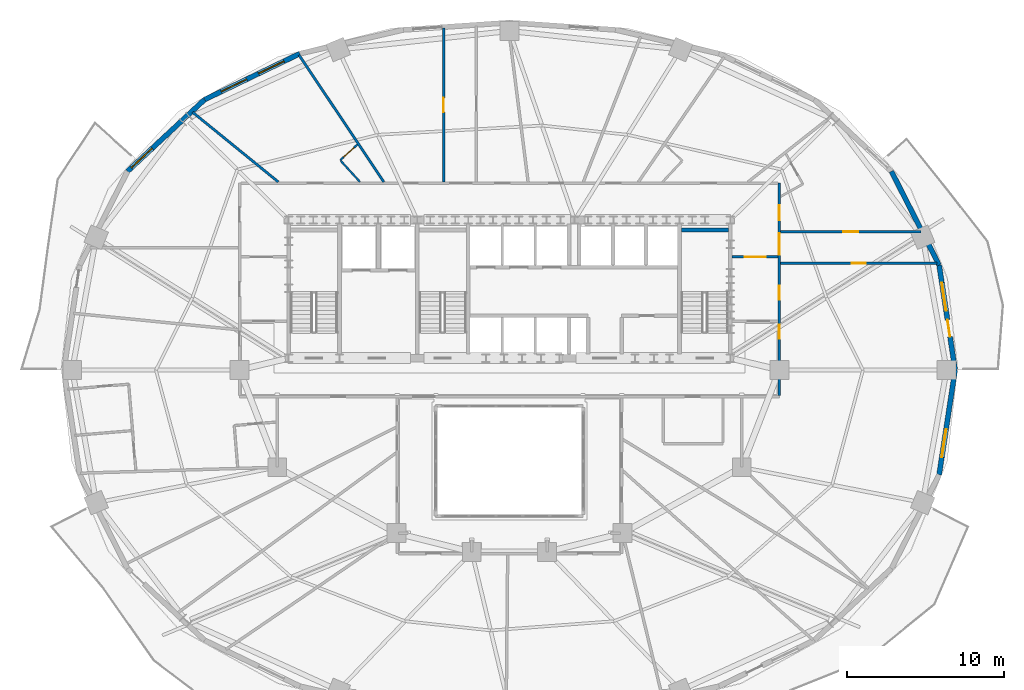
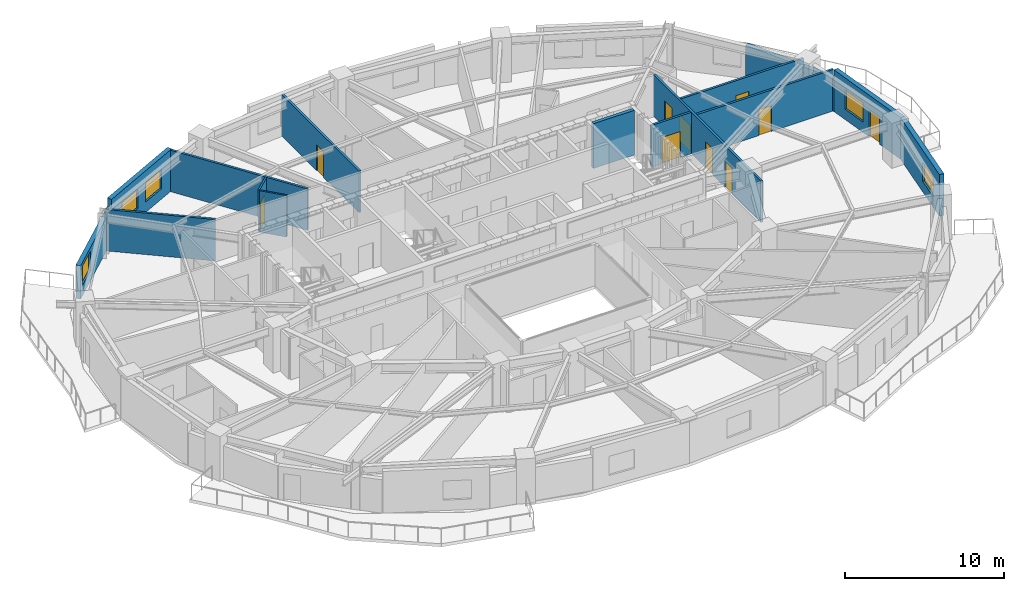
# One storey, part 9 of 14: 15 walls, 10 doors, 5 windows, 15 openings.
"""IFC4 building model written with IfcOpenShell, lengths in metres."""

from ifc_helpers import new_model, si_unit, direction, frame, frame_2d, origin, place, context, subcontext, project, spatial, rectangle, extrude, material, layer, layer_set, type_object, element, fill, save


model = new_model("IFC4")

# Units and contexts
model_context = context("Model", 3, precision=1e-05, world=origin(), true_north=direction((0.0, 1.0)))
body_context = subcontext(model_context, "Body", "Model", "MODEL_VIEW")
ifc_project = project(units=[si_unit("LENGTHUNIT", "METRE"), si_unit("AREAUNIT", "SQUARE_METRE"), si_unit("VOLUMEUNIT", "CUBIC_METRE"), si_unit("PLANEANGLEUNIT", "RADIAN"), si_unit("MASSUNIT", "GRAM", prefix="KILO")], contexts=[model_context])

# Site, building, storey
site_placement = place(None, origin())
site = spatial("IfcSite", under=ifc_project, at=site_placement, CompositionType="ELEMENT")
building_placement = place(site_placement, origin())
building = spatial("IfcBuilding", under=site, at=building_placement, Name="Haldorwick Loom Tower", CompositionType="ELEMENT")
storey_placement = place(building_placement, frame((0.0, 0.0, 95.60009765625)))
storey = spatial("IfcBuildingStorey", under=building, at=storey_placement, Name="L25", CompositionType="ELEMENT", Elevation=95.60009765625)

# Wall, openings, door, window
ifc_material_1 = material(Name="Pressed Clay Face Brick and Insulated Masonry Backup Assembly", Category="masonry")
ifc_layer_1 = layer(ifc_material_1, 0.320068359375, Name="Pressed Clay Face Brick and Insulated Masonry Backup Assembly", Category="masonry")
ifc_layer_set_1 = layer_set([ifc_layer_1], Name="Pressed Clay Face Brick and Insulated Masonry Backup Assembly")
wall_type_1 = type_object("IfcWallType", Name="ARC-WL-EXT320", PredefinedType="STANDARD", material=ifc_layer_set_1)
wall_1_placement = place(storey_placement, frame((64.397705078125, 26.0, 0.0), z_axis=(0.0, 0.0, 1.0), x_axis=(-0.150633288003, 0.988589708901, 0.0)))
wall_1 = element("IfcWall", 1, at=wall_1_placement, inside=storey, type_object=wall_type_1, Name="L25 Brick Pier and Spandrel Wall 1", PredefinedType="STANDARD", context=body_context, shape_type="SweptSolid", body=[
    extrude(rectangle(XDim=6.752197265625, YDim=0.320068359375, at=frame_2d((3.3759765625, 0.0))), origin(), (0.0, 0.0, 1.0), 3.2099609375),
])
opening_1_placement = place(wall_1_placement, frame((2.144287109375, 0.0, 0.0)))
opening_1 = element("IfcOpeningElement", 2, at=opening_1_placement, cuts=wall_1, Name="Opening D-BL11", PredefinedType="OPENING", context=body_context, shape_type="SweptSolid", body=[
    extrude(rectangle(XDim=1.080078125, YDim=2.0400390625, at=frame_2d((0.5400390625, 1.02001953125))), frame((0.0, 0.169921875, 0.0), z_axis=(0.0, -1.0, 0.0), x_axis=(1.0, 0.0, 0.0)), (0.0, 0.0, 1.0), 0.340087890625),
])
opening_2_placement = place(wall_1_placement, frame((3.826416015625, 0.0, 0.800048828125)))
opening_2 = element("IfcOpeningElement", 3, at=opening_2_placement, cuts=wall_1, Name="Opening W-01", PredefinedType="OPENING", context=body_context, shape_type="SweptSolid", body=[
    extrude(rectangle(XDim=1.800048828125, YDim=1.47998046875, at=frame_2d((0.89990234375, 0.739990234375))), frame((0.0, 0.169921875, 0.0), z_axis=(0.0, -1.0, 0.0), x_axis=(1.0, 0.0, 0.0)), (0.0, 0.0, 1.0), 0.340087890625),
])
ifc_material_2 = material(Name="Thermally Broken Anodized Aluminium Curtain Wall Framing", Category="aluminium")
door_type_1 = type_object("IfcDoorType", Name="ARC-DR-BAL110", OperationType="NOTDEFINED", PredefinedType="DOOR", material=ifc_material_2)
door_1_placement = place(opening_1_placement, origin())
door_1 = element("IfcDoor", 4, at=door_1_placement, inside=storey, type_object=door_type_1, Name="L25 Outdoor Terrace Door SLB-L25-BAL_ENE", OperationType="SINGLE_SWING_RIGHT", OverallHeight=2.0400390625, OverallWidth=1.080078125, PredefinedType="DOOR", context=body_context, shape_type="SweptSolid", body=[
    extrude(rectangle(XDim=1.080078125, YDim=2.0400390625, at=frame_2d((0.5400390625, 1.02001953125))), frame((0.0, 0.02490234375, 0.0), z_axis=(0.0, -1.0, 0.0), x_axis=(1.0, 0.0, 0.0)), (0.0, 0.0, 1.0), 0.050048828125),
])
fill(opening_1, door_1)
ifc_material_3 = material(Name="Triple-Glazed Low-E Argon Insulated Glazing Unit", Category="glass")
window_type = type_object("IfcWindowType", Name="ARC-WIN-W180", PartitioningType="SINGLE_PANEL", PredefinedType="WINDOW", material=ifc_material_3)
window_1_placement = place(opening_2_placement, origin())
window_1 = element("IfcWindow", 5, at=window_1_placement, inside=storey, type_object=window_type, Name="L25 Deep-Set Zone 7A Window 1", OverallHeight=1.47998046875, OverallWidth=1.800048828125, PartitioningType="SINGLE_PANEL", PredefinedType="WINDOW", context=body_context, shape_type="SweptSolid", body=[
    extrude(rectangle(XDim=1.800048828125, YDim=1.47998046875, at=frame_2d((0.89990234375, 0.739990234375))), frame((0.0, 0.030029296875, 0.0), z_axis=(0.0, -1.0, 0.0), x_axis=(1.0, 0.0, 0.0)), (0.0, 0.0, 1.0), 0.06005859375),
])
fill(opening_2, window_1)

# Wall
wall_2_placement = place(storey_placement, frame((63.380615234375, 32.675048828125, 0.0), z_axis=(0.0, 0.0, 1.0), x_axis=(-0.453374078001, 0.89132033826, 0.0)))
element("IfcWall", 6, at=wall_2_placement, inside=storey, type_object=wall_type_1, Name="L25 Brick Pier and Spandrel Wall 2", PredefinedType="STANDARD", context=body_context, shape_type="SweptSolid", body=[
    extrude(rectangle(XDim=6.709716796875, YDim=0.320068359375, at=frame_2d((3.35498046875, 0.0))), origin(), (0.0, 0.0, 1.0), 2.56884765625),
])

# Wall, openings, windows
wall_3_placement = place(storey_placement, frame((22.647216796875, 46.158447265625, 0.0), z_axis=(0.0, 0.0, 1.0), x_axis=(-0.900510094661, -0.434835106004, 0.0)))
wall_3 = element("IfcWall", 7, at=wall_3_placement, inside=storey, type_object=wall_type_1, Name="L25 Brick Pier and Spandrel Wall 9", PredefinedType="STANDARD", context=body_context, shape_type="SweptSolid", body=[
    extrude(rectangle(XDim=6.744873046875, YDim=0.320068359375, at=frame_2d((3.37255859375, 0.0))), origin(), (0.0, 0.0, 1.0), 3.2099609375),
])
opening_3_placement = place(wall_3_placement, frame((1.123291015625, 0.0, 0.800048828125)))
opening_3 = element("IfcOpeningElement", 8, at=opening_3_placement, cuts=wall_3, Name="Opening W-01", PredefinedType="OPENING", context=body_context, shape_type="SweptSolid", body=[
    extrude(rectangle(XDim=1.800048828125, YDim=1.47998046875, at=frame_2d((0.89990234375, 0.739990234375))), frame((0.0, 0.169921875, 0.0), z_axis=(0.0, -1.0, 0.0), x_axis=(1.0, 0.0, 0.0)), (0.0, 0.0, 1.0), 0.340087890625),
])
opening_4_placement = place(wall_3_placement, frame((3.763916015625, 0.0, 0.800048828125)))
opening_4 = element("IfcOpeningElement", 9, at=opening_4_placement, cuts=wall_3, Name="Opening W-01", PredefinedType="OPENING", context=body_context, shape_type="SweptSolid", body=[
    extrude(rectangle(XDim=1.800048828125, YDim=1.47998046875, at=frame_2d((0.89990234375, 0.739990234375))), frame((0.0, 0.169921875, 0.0), z_axis=(0.0, -1.0, 0.0), x_axis=(1.0, 0.0, 0.0)), (0.0, 0.0, 1.0), 0.340087890625),
])
window_2_placement = place(opening_3_placement, origin())
window_2 = element("IfcWindow", 10, at=window_2_placement, inside=storey, type_object=window_type, Name="L25 Deep-Set Zone 7A Window 9", OverallHeight=1.47998046875, OverallWidth=1.800048828125, PartitioningType="SINGLE_PANEL", PredefinedType="WINDOW", context=body_context, shape_type="SweptSolid", body=[
    extrude(rectangle(XDim=1.800048828125, YDim=1.47998046875, at=frame_2d((0.89990234375, 0.739990234375))), frame((0.0, 0.030029296875, 0.0), z_axis=(0.0, -1.0, 0.0), x_axis=(1.0, 0.0, 0.0)), (0.0, 0.0, 1.0), 0.06005859375),
])
fill(opening_3, window_2)
window_3_placement = place(opening_4_placement, origin())
window_3 = element("IfcWindow", 11, at=window_3_placement, inside=storey, type_object=window_type, Name="L25 Deep-Set Zone 7A Window 9", OverallHeight=1.47998046875, OverallWidth=1.800048828125, PartitioningType="SINGLE_PANEL", PredefinedType="WINDOW", context=body_context, shape_type="SweptSolid", body=[
    extrude(rectangle(XDim=1.800048828125, YDim=1.47998046875, at=frame_2d((0.89990234375, 0.739990234375))), frame((0.0, 0.030029296875, 0.0), z_axis=(0.0, -1.0, 0.0), x_axis=(1.0, 0.0, 0.0)), (0.0, 0.0, 1.0), 0.06005859375),
])
fill(opening_4, window_3)

# Wall, opening, window
wall_4_placement = place(storey_placement, frame((16.573486328125, 43.2255859375, 0.0), z_axis=(0.0, 0.0, 1.0), x_axis=(-0.732137360086, -0.681157020052, 0.0)))
wall_4 = element("IfcWall", 12, at=wall_4_placement, inside=storey, type_object=wall_type_1, Name="L25 Brick Pier and Spandrel Wall 10", PredefinedType="STANDARD", context=body_context, shape_type="SweptSolid", body=[
    extrude(rectangle(XDim=6.709228515625, YDim=0.320068359375, at=frame_2d((3.3544921875, 0.0))), origin(), (0.0, 0.0, 1.0), 2.56884765625),
])
opening_5_placement = place(wall_4_placement, frame((4.569580078125, 0.0, 0.800048828125)))
opening_5 = element("IfcOpeningElement", 13, at=opening_5_placement, cuts=wall_4, Name="Opening W-01", PredefinedType="OPENING", context=body_context, shape_type="SweptSolid", body=[
    extrude(rectangle(XDim=1.800048828125, YDim=1.47998046875, at=frame_2d((0.89990234375, 0.739990234375))), frame((0.0, 0.169921875, 0.0), z_axis=(0.0, -1.0, 0.0), x_axis=(1.0, 0.0, 0.0)), (0.0, 0.0, 1.0), 0.340087890625),
])
window_4_placement = place(opening_5_placement, origin())
window_4 = element("IfcWindow", 14, at=window_4_placement, inside=storey, type_object=window_type, Name="L25 Deep-Set Zone 7A Window 10", OverallHeight=1.47998046875, OverallWidth=1.800048828125, PartitioningType="SINGLE_PANEL", PredefinedType="WINDOW", context=body_context, shape_type="SweptSolid", body=[
    extrude(rectangle(XDim=1.800048828125, YDim=1.47998046875, at=frame_2d((0.89990234375, 0.739990234375))), frame((0.0, 0.030029296875, 0.0), z_axis=(0.0, -1.0, 0.0), x_axis=(1.0, 0.0, 0.0)), (0.0, 0.0, 1.0), 0.06005859375),
])
fill(opening_5, window_4)

wall_5_placement = place(storey_placement, frame((63.380615234375, 19.324951171875, 0.0), z_axis=(0.0, 0.0, 1.0), x_axis=(0.150633288003, 0.988589708901, 0.0)))
wall_5 = element("IfcWall", 15, at=wall_5_placement, inside=storey, type_object=wall_type_1, Name="L25 Brick Pier and Spandrel Wall 24", PredefinedType="STANDARD", context=body_context, shape_type="SweptSolid", body=[
    extrude(rectangle(XDim=6.752197265625, YDim=0.320068359375, at=frame_2d((3.3759765625, 0.0))), origin(), (0.0, 0.0, 1.0), 3.2099609375),
])
opening_6_placement = place(wall_5_placement, frame((1.12548828125, 0.0, 0.800048828125)))
opening_6 = element("IfcOpeningElement", 16, at=opening_6_placement, cuts=wall_5, Name="Opening W-01", PredefinedType="OPENING", context=body_context, shape_type="SweptSolid", body=[
    extrude(rectangle(XDim=1.800048828125, YDim=1.47998046875, at=frame_2d((0.89990234375, 0.739990234375))), frame((0.0, 0.169921875, 0.0), z_axis=(0.0, -1.0, 0.0), x_axis=(1.0, 0.0, 0.0)), (0.0, 0.0, 1.0), 0.340087890625),
])
window_5_placement = place(opening_6_placement, origin())
window_5 = element("IfcWindow", 17, at=window_5_placement, inside=storey, type_object=window_type, Name="L25 Deep-Set Zone 7A Window 24", OverallHeight=1.47998046875, OverallWidth=1.800048828125, PartitioningType="SINGLE_PANEL", PredefinedType="WINDOW", context=body_context, shape_type="SweptSolid", body=[
    extrude(rectangle(XDim=1.800048828125, YDim=1.47998046875, at=frame_2d((0.89990234375, 0.739990234375))), frame((0.0, 0.030029296875, 0.0), z_axis=(0.0, -1.0, 0.0), x_axis=(1.0, 0.0, 0.0)), (0.0, 0.0, 1.0), 0.06005859375),
])
fill(opening_6, window_5)

# Wall, openings, doors
ifc_material_4 = material(Name="Fire-Rated Type X Gypsum Stud Assembly EI 60")
ifc_layer_2 = layer(ifc_material_4, 0.159912109375, Name="Fire-Rated Type X Gypsum Stud Assembly EI 60")
ifc_layer_set_2 = layer_set([ifc_layer_2], Name="Fire-Rated Type X Gypsum Stud Assembly EI 60")
wall_type_2 = type_object("IfcWallType", Name="ARC-WL-FIRE160", PredefinedType="PARTITIONING", material=ifc_layer_set_2)
wall_6_placement = place(storey_placement, frame((53.199951171875, 24.383056640625, 0.0), z_axis=(0.0, 0.0, 1.0), x_axis=(0.0, 1.0, 0.0)))
wall_6 = element("IfcWall", 18, at=wall_6_placement, inside=storey, type_object=wall_type_2, Name="L25 Residential Fire Partition L25-CR-E0", PredefinedType="PARTITIONING", context=body_context, shape_type="SweptSolid", body=[
    extrude(rectangle(XDim=13.516845703125, YDim=0.159912109375, at=frame_2d((6.75830078125, 0.0))), origin(), (0.0, 0.0, 1.0), 3.19482421875),
])
opening_7_placement = place(wall_6_placement, frame((8.964111328125, 0.0, 0.0)))
opening_7 = element("IfcOpeningElement", 19, at=opening_7_placement, cuts=wall_6, Name="Opening D-CR15", PredefinedType="OPENING", context=body_context, shape_type="SweptSolid", body=[
    extrude(rectangle(XDim=1.35009765625, YDim=2.0, at=frame_2d((0.675048828125, 1.0))), frame((0.0, 0.08984375, 0.0), z_axis=(0.0, -1.0, 0.0), x_axis=(1.0, 0.0, 0.0)), (0.0, 0.0, 1.0), 0.179931640625),
])
opening_8_placement = place(wall_6_placement, frame((3.59130859375, 0.0, 0.0)))
opening_8 = element("IfcOpeningElement", 20, at=opening_8_placement, cuts=wall_6, Name="Opening D-FD60A", PredefinedType="OPENING", context=body_context, shape_type="SweptSolid", body=[
    extrude(rectangle(XDim=0.89990234375, YDim=2.0, at=frame_2d((0.449951171875, 1.0))), frame((0.0, 0.08984375, 0.0), z_axis=(0.0, -1.0, 0.0), x_axis=(1.0, 0.0, 0.0)), (0.0, 0.0, 1.0), 0.179931640625),
])
opening_9_placement = place(wall_6_placement, frame((6.0869140625, 0.0, 0.0)))
opening_9 = element("IfcOpeningElement", 21, at=opening_9_placement, cuts=wall_6, Name="Opening D-FD60A", PredefinedType="OPENING", context=body_context, shape_type="SweptSolid", body=[
    extrude(rectangle(XDim=0.89990234375, YDim=2.0, at=frame_2d((0.449951171875, 1.0))), frame((0.0, 0.08984375, 0.0), z_axis=(0.0, -1.0, 0.0), x_axis=(1.0, 0.0, 0.0)), (0.0, 0.0, 1.0), 0.179931640625),
])
opening_10_placement = place(wall_6_placement, frame((11.158447265625, 0.0, 0.0)))
opening_10 = element("IfcOpeningElement", 22, at=opening_10_placement, cuts=wall_6, Name="Opening D-FL95", PredefinedType="OPENING", context=body_context, shape_type="SweptSolid", body=[
    extrude(rectangle(XDim=0.949951171875, YDim=2.0400390625, at=frame_2d((0.47509765625, 1.02001953125))), frame((0.0, 0.08984375, 0.0), z_axis=(0.0, -1.0, 0.0), x_axis=(1.0, 0.0, 0.0)), (0.0, 0.0, 1.0), 0.179931640625),
])
ifc_material_5 = material(Name="Thermally Broken Anodized Aluminium and Tempered Glass", Category="aluminium")
door_type_2 = type_object("IfcDoorType", Name="ARC-DR-COR150", OperationType="NOTDEFINED", PredefinedType="DOOR", material=ifc_material_5)
door_2_placement = place(opening_7_placement, origin())
door_2 = element("IfcDoor", 23, at=door_2_placement, inside=storey, type_object=door_type_2, Name="L25 L25 North Residential Corridor to L25 East Daylight Corridor Door", OperationType="DOUBLE_DOOR_SINGLE_SWING", OverallHeight=2.0, OverallWidth=1.35009765625, PredefinedType="DOOR", context=body_context, shape_type="SweptSolid", body=[
    extrude(rectangle(XDim=1.35009765625, YDim=2.0, at=frame_2d((0.675048828125, 1.0))), frame((0.0, 0.02490234375, 0.0), z_axis=(0.0, -1.0, 0.0), x_axis=(1.0, 0.0, 0.0)), (0.0, 0.0, 1.0), 0.050048828125),
])
fill(opening_7, door_2)
ifc_material_6 = material(Name="Hollow Steel Fire Door Assembly", Category="steel")
door_type_3 = type_object("IfcDoorType", Name="ARC-DR-FD60-90", OperationType="NOTDEFINED", PredefinedType="DOOR", material=ifc_material_6)
door_3_placement = place(opening_8_placement, origin())
door_3 = element("IfcDoor", 24, at=door_3_placement, inside=storey, type_object=door_type_3, Name="L25 L25 Central Residential Corridor to Community Teaching Classroom 4 D", OperationType="SINGLE_SWING_LEFT", OverallHeight=2.0, OverallWidth=0.89990234375, PredefinedType="DOOR", context=body_context, shape_type="SweptSolid", body=[
    extrude(rectangle(XDim=0.89990234375, YDim=2.0, at=frame_2d((0.449951171875, 1.0))), frame((0.0, 0.02490234375, 0.0), z_axis=(0.0, -1.0, 0.0), x_axis=(1.0, 0.0, 0.0)), (0.0, 0.0, 1.0), 0.050048828125),
])
fill(opening_8, door_3)
door_4_placement = place(opening_9_placement, origin())
door_4 = element("IfcDoor", 25, at=door_4_placement, inside=storey, type_object=door_type_3, Name="L25 L25 East Residential Corridor to Community Teaching Classroom 4 Door", OperationType="SINGLE_SWING_RIGHT", OverallHeight=2.0, OverallWidth=0.89990234375, PredefinedType="DOOR", context=body_context, shape_type="SweptSolid", body=[
    extrude(rectangle(XDim=0.89990234375, YDim=2.0, at=frame_2d((0.449951171875, 1.0))), frame((0.0, 0.02490234375, 0.0), z_axis=(0.0, -1.0, 0.0), x_axis=(1.0, 0.0, 0.0)), (0.0, 0.0, 1.0), 0.050048828125),
])
fill(opening_9, door_4)
ifc_material_7 = material(Name="Solid Core Birch Architectural Door")
door_type_4 = type_object("IfcDoorType", Name="ARC-DR-FLAT95", OperationType="NOTDEFINED", PredefinedType="DOOR", material=ifc_material_7)
door_5_placement = place(opening_10_placement, origin())
door_5 = element("IfcDoor", 26, at=door_5_placement, inside=storey, type_object=door_type_4, Name="L25 L25 North Residential Corridor to Unit 25C Kitchen and Studio Living", OperationType="SINGLE_SWING_LEFT", OverallHeight=2.0400390625, OverallWidth=0.949951171875, PredefinedType="DOOR", context=body_context, shape_type="SweptSolid", body=[
    extrude(rectangle(XDim=0.949951171875, YDim=2.0400390625, at=frame_2d((0.47509765625, 1.02001953125))), frame((0.0, 0.02490234375, 0.0), z_axis=(0.0, -1.0, 0.0), x_axis=(1.0, 0.0, 0.0)), (0.0, 0.0, 1.0), 0.050048828125),
])
fill(opening_10, door_5)

# Wall, opening, door
wall_7_placement = place(storey_placement, frame((50.193115234375, 33.199951171875, 0.0), z_axis=(0.0, 0.0, 1.0), x_axis=(1.0, 0.0, 0.0)))
wall_7 = element("IfcWall", 27, at=wall_7_placement, inside=storey, type_object=wall_type_2, Name="L25 Residential Fire Partition L25-CR-ENJ", PredefinedType="PARTITIONING", context=body_context, shape_type="SweptSolid", body=[
    extrude(rectangle(XDim=2.923828125, YDim=0.159912109375, at=frame_2d((1.4619140625, 0.0))), origin(), (0.0, 0.0, 1.0), 3.19482421875),
])
opening_11_placement = place(wall_7_placement, frame((0.787109375, 0.0, 0.0)))
opening_11 = element("IfcOpeningElement", 28, at=opening_11_placement, cuts=wall_7, Name="Opening D-CR15", PredefinedType="OPENING", context=body_context, shape_type="SweptSolid", body=[
    extrude(rectangle(XDim=1.35009765625, YDim=2.0, at=frame_2d((0.675048828125, 1.0))), frame((0.0, 0.08984375, 0.0), z_axis=(0.0, -1.0, 0.0), x_axis=(1.0, 0.0, 0.0)), (0.0, 0.0, 1.0), 0.179931640625),
])
door_6_placement = place(opening_11_placement, origin())
door_6 = element("IfcDoor", 29, at=door_6_placement, inside=storey, type_object=door_type_2, Name="L25 L25 North Residential Corridor to L25 East Residential Corridor Door", OperationType="DOUBLE_DOOR_SINGLE_SWING", OverallHeight=2.0, OverallWidth=1.35009765625, PredefinedType="DOOR", context=body_context, shape_type="SweptSolid", body=[
    extrude(rectangle(XDim=1.35009765625, YDim=2.0, at=frame_2d((0.675048828125, 1.0))), frame((0.0, 0.02490234375, 0.0), z_axis=(0.0, -1.0, 0.0), x_axis=(1.0, 0.0, 0.0)), (0.0, 0.0, 1.0), 0.050048828125),
])
fill(opening_11, door_6)

wall_8_placement = place(storey_placement, frame((53.282958984375, 32.800048828125, 0.0), z_axis=(0.0, 0.0, 1.0), x_axis=(1.0, 0.0, 0.0)))
wall_8 = element("IfcWall", 30, at=wall_8_placement, inside=storey, type_object=wall_type_2, Name="L25 Residential Fire Partition L25-CR-GE0", PredefinedType="PARTITIONING", context=body_context, shape_type="SweptSolid", body=[
    extrude(rectangle(XDim=9.9609375, YDim=0.159912109375, at=frame_2d((4.98046875, 0.0))), origin(), (0.0, 0.0, 1.0), 3.19482421875),
])
opening_12_placement = place(wall_8_placement, frame((4.530517578125, 0.0, 0.0)))
opening_12 = element("IfcOpeningElement", 31, at=opening_12_placement, cuts=wall_8, Name="Opening D-FD60A", PredefinedType="OPENING", context=body_context, shape_type="SweptSolid", body=[
    extrude(rectangle(XDim=0.89990234375, YDim=2.0, at=frame_2d((0.449951171875, 1.0))), frame((0.0, 0.08984375, 0.0), z_axis=(0.0, -1.0, 0.0), x_axis=(1.0, 0.0, 0.0)), (0.0, 0.0, 1.0), 0.179931640625),
])
door_7_placement = place(opening_12_placement, origin())
door_7 = element("IfcDoor", 32, at=door_7_placement, inside=storey, type_object=door_type_3, Name="L25 L25 East Daylight Corridor to Community Teaching Classroom 4 Door", OperationType="SINGLE_SWING_RIGHT", OverallHeight=2.0, OverallWidth=0.89990234375, PredefinedType="DOOR", context=body_context, shape_type="SweptSolid", body=[
    extrude(rectangle(XDim=0.89990234375, YDim=2.0, at=frame_2d((0.449951171875, 1.0))), frame((0.0, 0.02490234375, 0.0), z_axis=(0.0, -1.0, 0.0), x_axis=(1.0, 0.0, 0.0)), (0.0, 0.0, 1.0), 0.050048828125),
])
fill(opening_12, door_7)

wall_9_placement = place(storey_placement, frame((53.282958984375, 34.800048828125, 0.0), z_axis=(0.0, 0.0, 1.0), x_axis=(1.0, 0.0, 0.0)))
wall_9 = element("IfcWall", 33, at=wall_9_placement, inside=storey, type_object=wall_type_2, Name="L25 Residential Fire Partition L25-CR-GE1", PredefinedType="PARTITIONING", context=body_context, shape_type="SweptSolid", body=[
    extrude(rectangle(XDim=8.94384765625, YDim=0.159912109375, at=frame_2d((4.471923828125, 0.0))), origin(), (0.0, 0.0, 1.0), 3.19482421875),
])
opening_13_placement = place(wall_9_placement, frame((3.996826171875, 0.0, 0.0)))
opening_13 = element("IfcOpeningElement", 34, at=opening_13_placement, cuts=wall_9, Name="Opening D-FL95", PredefinedType="OPENING", context=body_context, shape_type="SweptSolid", body=[
    extrude(rectangle(XDim=0.949951171875, YDim=2.0400390625, at=frame_2d((0.47509765625, 1.02001953125))), frame((0.0, 0.08984375, 0.0), z_axis=(0.0, -1.0, 0.0), x_axis=(1.0, 0.0, 0.0)), (0.0, 0.0, 1.0), 0.179931640625),
])
door_8_placement = place(opening_13_placement, frame((0.949951171875, 0.0, 0.0), z_axis=(0.0, 0.0, 1.0), x_axis=(-1.0, 0.0, 0.0)))
door_8 = element("IfcDoor", 35, at=door_8_placement, inside=storey, type_object=door_type_4, Name="L25 Unit 25C Kitchen and Studio Living Room to L25 East Daylight Corrido", OperationType="SINGLE_SWING_LEFT", OverallHeight=2.0400390625, OverallWidth=0.949951171875, PredefinedType="DOOR", context=body_context, shape_type="SweptSolid", body=[
    extrude(rectangle(XDim=0.949951171875, YDim=2.0400390625, at=frame_2d((0.47509765625, 1.02001953125))), frame((0.0, 0.02490234375, 0.0), z_axis=(0.0, -1.0, 0.0), x_axis=(1.0, 0.0, 0.0)), (0.0, 0.0, 1.0), 0.050048828125),
])
fill(opening_13, door_8)

wall_10_placement = place(storey_placement, frame((31.800048828125, 37.98291015625, 0.0), z_axis=(0.0, 0.0, 1.0), x_axis=(0.0, 1.0, 0.0)))
wall_10 = element("IfcWall", 36, at=wall_10_placement, inside=storey, type_object=wall_type_2, Name="L25 Residential Fire Partition L25-CR-NG0", PredefinedType="PARTITIONING", context=body_context, shape_type="SweptSolid", body=[
    extrude(rectangle(XDim=9.802001953125, YDim=0.159912109375, at=frame_2d((4.90087890625, 0.0))), origin(), (0.0, 0.0, 1.0), 3.19482421875),
])
opening_14_placement = place(wall_10_placement, frame((4.450927734375, 0.0, 0.0)))
opening_14 = element("IfcOpeningElement", 37, at=opening_14_placement, cuts=wall_10, Name="Opening D-FD60A", PredefinedType="OPENING", context=body_context, shape_type="SweptSolid", body=[
    extrude(rectangle(XDim=0.89990234375, YDim=2.0, at=frame_2d((0.449951171875, 1.0))), frame((0.0, 0.08984375, 0.0), z_axis=(0.0, -1.0, 0.0), x_axis=(1.0, 0.0, 0.0)), (0.0, 0.0, 1.0), 0.179931640625),
])
door_9_placement = place(opening_14_placement, frame((0.89990234375, 0.0, 0.0), z_axis=(0.0, 0.0, 1.0), x_axis=(-1.0, 0.0, 0.0)))
door_9 = element("IfcDoor", 38, at=door_9_placement, inside=storey, type_object=door_type_3, Name="L25 Community Teaching Classroom 2 to L25 North Daylight Corridor Door", OperationType="SINGLE_SWING_RIGHT", OverallHeight=2.0, OverallWidth=0.89990234375, PredefinedType="DOOR", context=body_context, shape_type="SweptSolid", body=[
    extrude(rectangle(XDim=0.89990234375, YDim=2.0, at=frame_2d((0.449951171875, 1.0))), frame((0.0, 0.02490234375, 0.0), z_axis=(0.0, -1.0, 0.0), x_axis=(1.0, 0.0, 0.0)), (0.0, 0.0, 1.0), 0.050048828125),
])
fill(opening_14, door_9)

# Walls
wall_11_placement = place(storey_placement, frame((27.993408203125, 37.98291015625, 0.0), z_axis=(0.0, 0.0, 1.0), x_axis=(-0.555581299847, 0.831462217578, 0.0)))
element("IfcWall", 39, at=wall_11_placement, inside=storey, type_object=wall_type_2, Name="L25 Suite Split Wall", PredefinedType="PARTITIONING", context=body_context, shape_type="SweptSolid", body=[
    extrude(rectangle(XDim=9.7158203125, YDim=0.159912109375, at=frame_2d((4.85791015625, 0.0))), origin(), (0.0, 0.0, 1.0), 3.19482421875),
])
wall_12_placement = place(storey_placement, frame((21.268798828125, 37.98291015625, 0.0), z_axis=(0.0, 0.0, 1.0), x_axis=(-0.775746787381, 0.631044310543, 0.0)))
element("IfcWall", 40, at=wall_12_placement, inside=storey, type_object=wall_type_2, Name="L25 Suite Split Wall", PredefinedType="PARTITIONING", context=body_context, shape_type="SweptSolid", body=[
    extrude(rectangle(XDim=7.0390625, YDim=0.159912109375, at=frame_2d((3.51953125, 0.0))), origin(), (0.0, 0.0, 1.0), 3.19482421875),
])

# Wall, opening, door
ifc_material_8 = material(Name="Acoustic Gypsum Stud Assembly STC 55")
ifc_layer_3 = layer(ifc_material_8, 0.1201171875, Name="Acoustic Gypsum Stud Assembly STC 55")
ifc_layer_set_3 = layer_set([ifc_layer_3], Name="Acoustic Gypsum Stud Assembly STC 55")
wall_type_3 = type_object("IfcWallType", Name="ARC-WL-PART120", PredefinedType="PARTITIONING", material=ifc_layer_set_3)
wall_13_placement = place(storey_placement, frame((26.306640625, 40.35791015625, 0.0), z_axis=(0.0, 0.0, 1.0), x_axis=(-0.7388396547, -0.673881268951, 0.0)))
wall_13 = element("IfcWall", 41, at=wall_13_placement, inside=storey, type_object=wall_type_3, Name="L25 Unit 25J Interior Partition", PredefinedType="PARTITIONING", context=body_context, shape_type="SweptSolid", body=[
    extrude(rectangle(XDim=1.47705078125, YDim=0.1201171875, at=frame_2d((0.738525390625, 0.0))), origin(), (0.0, 0.0, 1.0), 3.19482421875),
])
opening_15_placement = place(wall_13_placement, frame((0.298583984375, 0.0, 0.0)))
opening_15 = element("IfcOpeningElement", 42, at=opening_15_placement, cuts=wall_13, Name="Opening D-BT88", PredefinedType="OPENING", context=body_context, shape_type="SweptSolid", body=[
    extrude(rectangle(XDim=0.8798828125, YDim=2.02001953125, at=frame_2d((0.43994140625, 1.010009765625))), frame((0.0, 0.070068359375, 0.0), z_axis=(0.0, -1.0, 0.0), x_axis=(1.0, 0.0, 0.0)), (0.0, 0.0, 1.0), 0.14013671875),
])
door_type_5 = type_object("IfcDoorType", Name="ARC-DR-BATH88", OperationType="NOTDEFINED", PredefinedType="DOOR", material=ifc_material_7)
door_10_placement = place(opening_15_placement, origin())
door_10 = element("IfcDoor", 43, at=door_10_placement, inside=storey, type_object=door_type_5, Name="L25 Unit 25J Bathroom to Unit 25J Kitchen and Studio Living Room Door", OperationType="SINGLE_SWING_LEFT", OverallHeight=2.02001953125, OverallWidth=0.8798828125, PredefinedType="DOOR", context=body_context, shape_type="SweptSolid", body=[
    extrude(rectangle(XDim=0.8798828125, YDim=2.02001953125, at=frame_2d((0.43994140625, 1.010009765625))), frame((0.0, 0.02490234375, 0.0), z_axis=(0.0, -1.0, 0.0), x_axis=(1.0, 0.0, 0.0)), (0.0, 0.0, 1.0), 0.050048828125),
])
fill(opening_15, door_10)

# Walls
wall_14_placement = place(storey_placement, frame((26.4736328125, 37.98291015625, 0.0), z_axis=(0.0, 0.0, 1.0), x_axis=(-0.673816873813, 0.738898383111, 0.0)))
element("IfcWall", 44, at=wall_14_placement, inside=storey, type_object=wall_type_3, Name="L25 Unit 25J Interior Partition", PredefinedType="PARTITIONING", context=body_context, shape_type="SweptSolid", body=[
    extrude(rectangle(XDim=1.804443359375, YDim=0.1201171875, at=frame_2d((0.90234375, 0.0))), origin(), (0.0, 0.0, 1.0), 3.19482421875),
])
ifc_material_9 = material(Name="Concrete C50 (50 MPa)", Category="concrete")
ifc_layer_4 = layer(ifc_material_9, 0.239990234375, Name="Concrete C50 (50 MPa)", Category="concrete")
ifc_layer_set_4 = layer_set([ifc_layer_4], Name="Concrete C50 (50 MPa)")
wall_type_4 = type_object("IfcWallType", Name="STR-WL-SHAFT240", PredefinedType="SHEAR", material=ifc_layer_set_4)
wall_15_placement = place(storey_placement, frame((46.952880859375, 34.919921875, 0.0), z_axis=(0.0, 0.0, 1.0), x_axis=(1.0, 0.0, 0.0)))
element("IfcWall", 45, at=wall_15_placement, inside=storey, type_object=wall_type_4, Name="L25 Core Shear Wall 4N", PredefinedType="SHEAR", context=body_context, shape_type="SweptSolid", body=[
    extrude(rectangle(XDim=2.994140625, YDim=0.239990234375, at=frame_2d((1.4970703125, 0.0))), origin(), (0.0, 0.0, 1.0), 3.449951171875),
])

save(model, "model.ifc")
